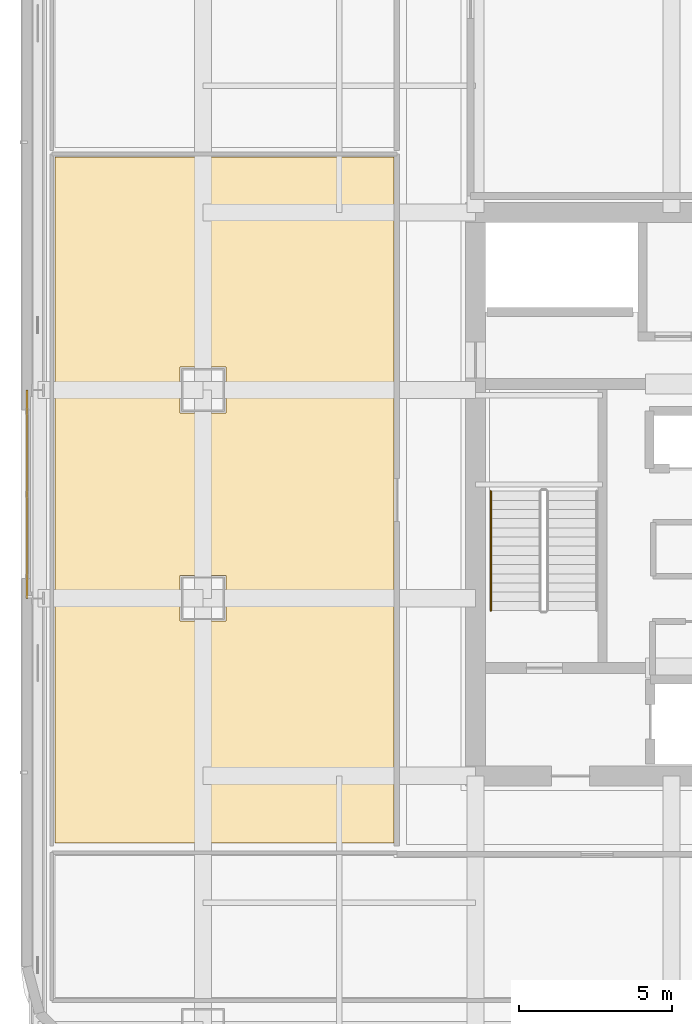
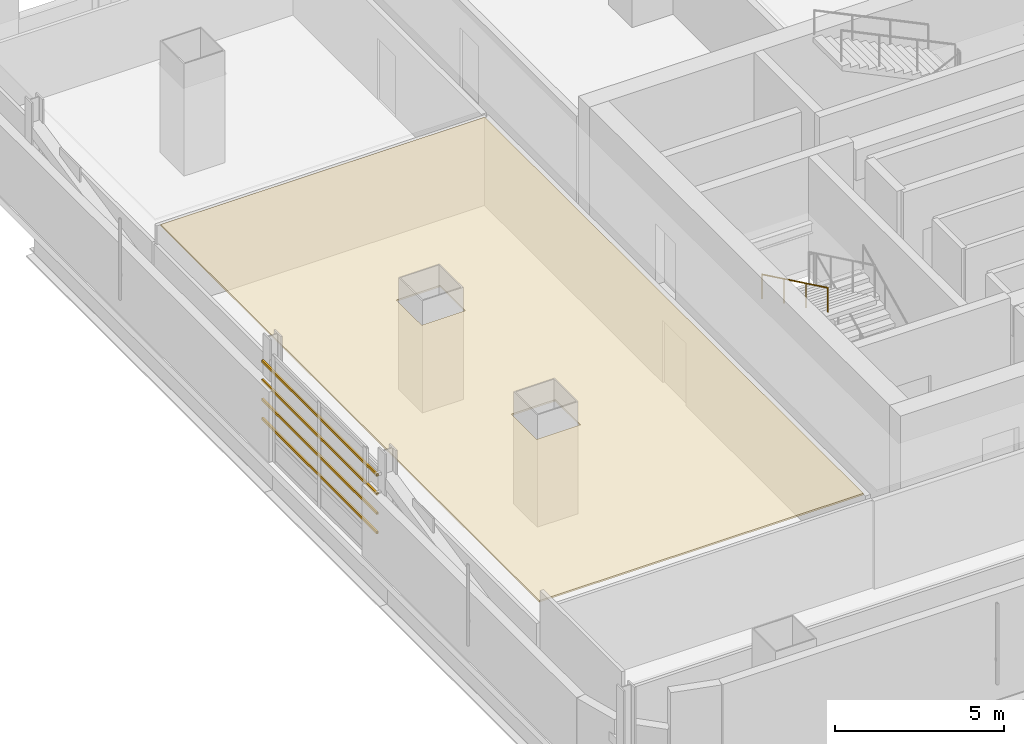
# One storey, part 22 of 32: 4 shading devices, 1 covering, 1 railing.
"""IFC4 building model written with IfcOpenShell, lengths in metres."""

import ifcopenshell
import ifcopenshell.guid

model = None  # the IFC model being written
_history = None  # IfcOwnerHistory: only IFC2X3 demands one
_inside = {}  # id of a spatial element -> (the spatial element, [elements in it])
_under = {}  # id of a project, library or spatial element -> (it, [spatial elements below it])
_declared = {}  # id of a project -> (the project, [libraries it declares])
_typed = {}  # id of a type object -> (the type object, [elements of that type])
_made_of = {}  # id of a material, layer set ... -> (it, [elements and type objects made of it])


def new_model(schema):
    """Start an empty IFC model of exactly this schema.

    Asked for "IFC4X3", IfcOpenShell would pick the latest addendum, in which some entities
    have other attributes; the version numbers below select the first issue.
    IFC2X3 requires an IfcOwnerHistory on every rooted entity: one is made here for all.
    """
    global model, _history
    if schema == "IFC4X3":
        model = ifcopenshell.file(schema_version=(4, 3, 0, 0))
    else:
        model = ifcopenshell.file(schema=schema)
    _inside.clear()
    _under.clear()
    _declared.clear()
    _typed.clear()
    _made_of.clear()
    _history = None
    if model.schema == "IFC2X3":
        org = make("IfcOrganization", Name="unknown")
        user = make(
            "IfcPersonAndOrganization",
            ThePerson=make("IfcPerson", FamilyName="unknown"),
            TheOrganization=org,
        )
        app = make(
            "IfcApplication",
            ApplicationDeveloper=org,
            Version="unknown",
            ApplicationFullName="unknown",
            ApplicationIdentifier="unknown",
        )
        _history = make(
            "IfcOwnerHistory",
            OwningUser=user,
            OwningApplication=app,
            ChangeAction="ADDED",
            CreationDate=0,
        )
    return model


def make(cls, **values):
    """One entity of the class cls with the attributes given. An attribute that is None is left unset."""
    return model.create_entity(
        cls, **{name: value for name, value in values.items() if value is not None}
    )


def rooted(cls, **values):
    """An entity with a GlobalId (a new one), such as an element, a storey or a relation."""
    return make(cls, GlobalId=ifcopenshell.guid.new(), OwnerHistory=_history, **values)


def si_unit(unit_type, name, prefix=None):
    """IfcSIUnit, for example si_unit("LENGTHUNIT", "METRE", prefix="MILLI")."""
    return make("IfcSIUnit", UnitType=unit_type, Prefix=prefix, Name=name)


def assignment(units):
    """IfcUnitAssignment: the units of a project."""
    return None if units is None else make("IfcUnitAssignment", Units=units)


def point(xyz):
    """IfcCartesianPoint."""
    return None if xyz is None else make("IfcCartesianPoint", Coordinates=xyz)


def direction(xyz):
    """IfcDirection."""
    return None if xyz is None else make("IfcDirection", DirectionRatios=xyz)


def frame(location, z_axis=None, x_axis=None):
    """IfcAxis2Placement3D, a coordinate frame: its origin and axes. An axis left out is left unset."""
    return make(
        "IfcAxis2Placement3D",
        Location=point(location),
        Axis=direction(z_axis),
        RefDirection=direction(x_axis),
    )


def frame_2d(location, x_axis=None):
    """IfcAxis2Placement2D, a coordinate frame in the plane: its origin and x axis."""
    return make(
        "IfcAxis2Placement2D", Location=point(location), RefDirection=direction(x_axis)
    )


def origin():
    """The frame at (0, 0, 0) with its axes left unset."""
    return frame((0.0, 0.0, 0.0))


def origin_2d():
    """The frame at (0, 0) in the plane with its x axis left unset."""
    return frame_2d((0.0, 0.0))


def place(relative_to, where):
    """IfcLocalPlacement: puts the frame where relative to a parent placement (None: the world)."""
    return make(
        "IfcLocalPlacement", PlacementRelTo=relative_to, RelativePlacement=where
    )


def context(
    kind, dimensions, precision=None, world=None, true_north=None, identifier=None
):
    """IfcGeometricRepresentationContext, for example the 3D "Model" context."""
    return make(
        "IfcGeometricRepresentationContext",
        ContextIdentifier=identifier,
        ContextType=kind,
        CoordinateSpaceDimension=dimensions,
        Precision=precision,
        WorldCoordinateSystem=world,
        TrueNorth=true_north,
    )


def subcontext(parent, identifier, kind, view, scale=None):
    """IfcGeometricRepresentationSubContext, for example "Body" below "Model"."""
    return make(
        "IfcGeometricRepresentationSubContext",
        ContextIdentifier=identifier,
        ContextType=kind,
        ParentContext=parent,
        TargetScale=scale,
        TargetView=view,
    )


def project(units=None, contexts=None):
    """IfcProject with its units and contexts."""
    return rooted(
        "IfcProject",
        Name="project",
        RepresentationContexts=contexts,
        UnitsInContext=assignment(units),
    )


def spatial(cls, under=None, at=None, **own):
    """A site, building, storey or space (cls), placed at a placement, below another one or the project."""
    s = rooted(cls, ObjectPlacement=at, **own)
    if under is not None:
        _under.setdefault(under.id(), (under, []))[1].append(s)
    return s


def polyline(points):
    """IfcPolyline through the points."""
    return make("IfcPolyline", Points=[point(p) for p in points])


def profile(cls, at=None, kind="AREA", **sizes):
    """A parametric profile (cls). Its sizes go by their IFC names, for example OverallWidth=200.0."""
    return make(cls, ProfileType=kind, Position=at, **sizes)


def hollow_rectangle(**sizes):
    """IfcRectangleHollowProfileDef."""
    return profile("IfcRectangleHollowProfileDef", **sizes)


def circle(**sizes):
    """IfcCircleProfileDef."""
    return profile("IfcCircleProfileDef", **sizes)


def outline(outer, holes=None, kind="AREA"):
    """IfcArbitraryClosedProfileDef: a profile drawn as a closed curve; with holes, ...WithVoids."""
    if holes is None:
        return make("IfcArbitraryClosedProfileDef", ProfileType=kind, OuterCurve=outer)
    return make(
        "IfcArbitraryProfileDefWithVoids",
        ProfileType=kind,
        OuterCurve=outer,
        InnerCurves=holes,
    )


def extrude(swept, where, along, depth):
    """IfcExtrudedAreaSolid: the profile swept, set in the frame where, extruded along a direction by depth."""
    return make(
        "IfcExtrudedAreaSolid",
        SweptArea=swept,
        Position=where,
        ExtrudedDirection=direction(along),
        Depth=depth,
    )


def shape(context_of_items, identifier, shape_type, items):
    """IfcShapeRepresentation: the items that make up one representation, for example the "Body"."""
    return make(
        "IfcShapeRepresentation",
        ContextOfItems=context_of_items,
        RepresentationIdentifier=identifier,
        RepresentationType=shape_type,
        Items=items,
    )


def material(Name=None, Category=None):
    """IfcMaterial."""
    return make("IfcMaterial", Name=Name, Category=Category)


def layer(
    of_material, thickness, ventilated=None, Name=None, Category=None, Priority=None
):
    """IfcMaterialLayer: one layer of a wall or slab, of a material (None: an air gap)."""
    return make(
        "IfcMaterialLayer",
        Material=of_material,
        LayerThickness=thickness,
        IsVentilated=ventilated,
        Name=Name,
        Category=Category,
        Priority=Priority,
    )


def layer_set(layers, Name=None):
    """IfcMaterialLayerSet."""
    return make("IfcMaterialLayerSet", MaterialLayers=layers, LayerSetName=Name)


def material_profile(
    of_material, cross_section, Name=None, Category=None, Priority=None
):
    """IfcMaterialProfile: a cross section and its material."""
    return make(
        "IfcMaterialProfile",
        Name=Name,
        Material=of_material,
        Profile=cross_section,
        Priority=Priority,
        Category=Category,
    )


def profile_set(profiles, Name=None, composite=None):
    """IfcMaterialProfileSet."""
    return make(
        "IfcMaterialProfileSet",
        Name=Name,
        MaterialProfiles=profiles,
        CompositeProfile=composite,
    )


def made_of(thing, what):
    """Note that an element or type object is made of a material, layer set ...; save() writes the relation."""
    if what is not None:
        _made_of.setdefault(what.id(), (what, []))[1].append(thing)
    return thing


def type_object(cls, material=None, **own):
    """A type object (cls), such as IfcWallType, which elements share."""
    return made_of(rooted(cls, **own), material)


def element(
    cls,
    number,
    at=None,
    inside=None,
    cuts=None,
    type_object=None,
    material=None,
    context=None,
    identifier="Body",
    shape_type=None,
    held_by="IfcProductDefinitionShape",
    body=None,
    shapes=None,
    **own,
):
    """One element of the class cls, such as IfcWall. Its Tag is "e" and its number.

    at: its placement. inside: the storey or other place that contains it. cuts: it is an
    opening in that element (IfcRelVoidsElement). A single representation is given by context,
    identifier, shape_type and body (its items); several are given by shapes. held_by: the class
    of the entity that holds the representations. save() writes the other relations.
    """
    e = rooted(cls, Tag="e%d" % number, ObjectPlacement=at, **own)
    if body is not None:
        shapes = [shape(context, identifier, shape_type, body)]
    if shapes is not None:
        e.Representation = make(held_by, Representations=shapes)
    if inside is not None:
        _inside.setdefault(inside.id(), (inside, []))[1].append(e)
    if cuts is not None:
        rooted(
            "IfcRelVoidsElement", RelatingBuildingElement=cuts, RelatedOpeningElement=e
        )
    if type_object is not None:
        _typed.setdefault(type_object.id(), (type_object, []))[1].append(e)
    return made_of(e, material)


def aggregate(whole, parts):
    """IfcRelAggregates: a whole, such as a stair, and the parts it consists of."""
    return rooted("IfcRelAggregates", RelatingObject=whole, RelatedObjects=parts)


def save(model, path):
    """Write the relations noted so far, then the file.

    IfcRelAggregates (storeys below a building ...), IfcRelContainedInSpatialStructure (elements
    in a storey), IfcRelDefinesByType, IfcRelAssociatesMaterial and IfcRelDeclares: one each for
    every whole, place, type object, material and project.
    """
    for whole, parts in _under.values():
        aggregate(whole, parts)
    for where, things in _inside.values():
        rooted(
            "IfcRelContainedInSpatialStructure",
            RelatedElements=things,
            RelatingStructure=where,
        )
    for kind, things in _typed.values():
        rooted("IfcRelDefinesByType", RelatedObjects=things, RelatingType=kind)
    for what, things in _made_of.values():
        rooted("IfcRelAssociatesMaterial", RelatedObjects=things, RelatingMaterial=what)
    for by, libraries in _declared.values():
        rooted("IfcRelDeclares", RelatingContext=by, RelatedDefinitions=libraries)
    model.write(path)


model = new_model("IFC4")

# Units and contexts
model_context = context("Model", 3, precision=1e-05, world=origin(), true_north=direction((0.0, 1.0)))
body_context = subcontext(model_context, "Body", "Model", "MODEL_VIEW")
ifc_project = project(units=[si_unit("LENGTHUNIT", "METRE"), si_unit("AREAUNIT", "SQUARE_METRE"), si_unit("VOLUMEUNIT", "CUBIC_METRE"), si_unit("PLANEANGLEUNIT", "RADIAN"), si_unit("MASSUNIT", "GRAM", prefix="KILO")], contexts=[model_context])

# Site, building, storey
site_placement = place(None, origin())
site = spatial("IfcSite", under=ifc_project, at=site_placement, CompositionType="ELEMENT")
building_placement = place(site_placement, origin())
building = spatial("IfcBuilding", under=site, at=building_placement, Name="Punatoya Terracotta Tower", CompositionType="ELEMENT")
storey_placement = place(building_placement, frame((0.0, 0.0, 139.800048828125)))
storey = spatial("IfcBuildingStorey", under=building, at=storey_placement, Name="L32", CompositionType="ELEMENT", Elevation=139.800048828125)

# Covering
ifc_material_1 = material(Name="Acoustic Mineral Fibre Ceiling")
ifc_layer = layer(ifc_material_1, 0.06005859375)
ifc_layer_set = layer_set([ifc_layer], Name="Acoustic Mineral Fibre Ceiling")
covering_type = type_object("IfcCoveringType", Name="COV-CEIL-60", PredefinedType="CEILING", material=ifc_layer_set)
covering_placement = place(storey_placement, frame((0.0, 0.0, 3.159912109375)))
element("IfcCovering", 1, at=covering_placement, inside=storey, type_object=covering_type, Name="L32 Press Briefing Room Acoustic Ceiling", PredefinedType="CEILING", context=body_context, shape_type="SweptSolid", body=[
    extrude(outline(polyline([(-12.8701171875, -11.389892578125), (-12.8701171875, 11.010009765625), (-23.93994140625, 11.010009765625), (-23.93994140625, -11.389892578125), (-12.8701171875, -11.389892578125)]), holes=[polyline([(-18.35009765625, -4.14990234375), (-19.85009765625, -4.14990234375), (-19.85009765625, -2.64990234375), (-18.35009765625, -2.64990234375), (-18.35009765625, -4.14990234375)]), polyline([(-18.35009765625, 4.14990234375), (-18.35009765625, 2.64990234375), (-19.85009765625, 2.64990234375), (-19.85009765625, 4.14990234375), (-18.35009765625, 4.14990234375)])]), origin(), (0.0, 0.0, 1.0), 0.06005859375),
])

# Railing
ifc_material_2 = material(Name="Steel S355", Category="steel")
railing_type = type_object("IfcRailingType", Name="RLG-HND-900", PredefinedType="HANDRAIL", material=ifc_material_2)
railing_placement = place(storey_placement, frame((-9.699951171875, 0.10009765625, 2.169677734375)))
element("IfcRailing", 2, at=railing_placement, inside=storey, type_object=railing_type, Name="L32 ST-1 stair handrail 2", PredefinedType="HANDRAIL", context=body_context, shape_type="SweptSolid", body=[
    extrude(circle(Radius=0.02392578125, at=origin_2d()), frame((0.0, 0.0, 0.8759765625), z_axis=(0.0, -0.900773802044, 0.434288564841), x_axis=(1.0, 0.0, 0.0)), (0.0, 0.0, 1.0), 4.329833984375),
    extrude(circle(Radius=0.02099609375, at=origin_2d()), origin(), (0.0, 0.0, 1.0), 0.851806640625),
    extrude(circle(Radius=0.02099609375, at=origin_2d()), frame((0.0, -1.300048828125, 0.626708984375)), (0.0, 0.0, 1.0), 0.851806640625),
    extrude(circle(Radius=0.02099609375, at=origin_2d()), frame((0.0, -2.60009765625, 1.253662109375)), (0.0, 0.0, 1.0), 0.851806640625),
    extrude(circle(Radius=0.02099609375, at=origin_2d()), frame((0.0, -3.900146484375, 1.88037109375)), (0.0, 0.0, 1.0), 0.851806640625),
])

# Shading devices
ifc_material_3 = material(Name="Architectural Fired Terracotta", Category="masonry")
ifc_material_profile = material_profile(ifc_material_3, hollow_rectangle(XDim=0.06005859375, YDim=0.090087890625, WallThickness=0.013916015625, at=origin_2d()))
ifc_profile_set = profile_set([ifc_material_profile], Name="Architectural Fired Terracotta")
shading_device_type = type_object("IfcShadingDeviceType", Name="SHD-JALI-90", PredefinedType="JALOUSIE", material=ifc_profile_set)
for number, where, z_axis, x_axis, name in (
    (3, (-24.8525390625, -3.39990234375, 1.14990234375), (0.0, 1.0, 0.0), (-1.0, 0.0, 0.0), "L32 Fired Terracotta Baguette Louvre BAG-L32-W-01"),
    (4, (-24.8525390625, -3.39990234375, 1.84326171875), (0.0, 1.0, 0.0), (-1.0, 0.0, 0.0), "L32 Fired Terracotta Baguette Louvre BAG-L32-W-02"),
    (5, (-24.8525390625, -3.39990234375, 2.53662109375), (0.0, 1.0, 0.0), (-1.0, 0.0, 0.0), "L32 Fired Terracotta Baguette Louvre BAG-L32-W-03"),
    (6, (-24.8525390625, -3.39990234375, 3.22998046875), (0.0, 1.0, 0.0), (-1.0, 0.0, 0.0), "L32 Fired Terracotta Baguette Louvre BAG-L32-W-04"),
):
    element("IfcShadingDevice", number, at=place(storey_placement, frame(where, z_axis=z_axis, x_axis=x_axis)), inside=storey, type_object=shading_device_type, Name=name, PredefinedType="JALOUSIE", context=body_context, shape_type="SweptSolid", body=[
        extrude(hollow_rectangle(XDim=0.06005859375, YDim=0.090087890625, WallThickness=0.013916015625, at=origin_2d()), origin(), (0.0, 0.0, 1.0), 6.7998046875),
    ])

save(model, "model.ifc")
